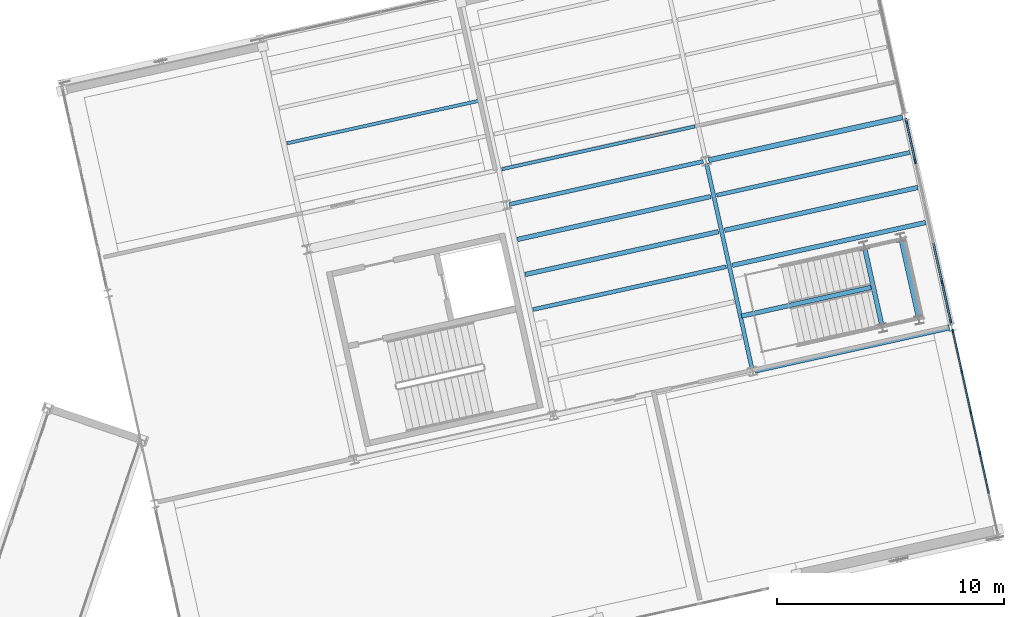
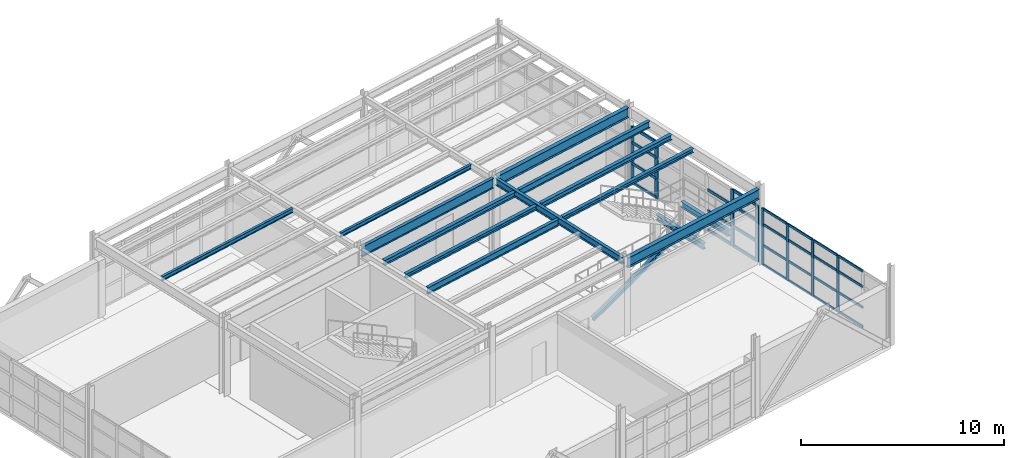
# One storey, part 56 of 102: 36 members, 14 beams, 2 elements without a shape of their own.
"""IFC4 building model written with IfcOpenShell, lengths in metres."""

import ifcopenshell
import ifcopenshell.guid

model = None  # the IFC model being written
_history = None  # IfcOwnerHistory: only IFC2X3 demands one
_inside = {}  # id of a spatial element -> (the spatial element, [elements in it])
_under = {}  # id of a project, library or spatial element -> (it, [spatial elements below it])
_declared = {}  # id of a project -> (the project, [libraries it declares])
_typed = {}  # id of a type object -> (the type object, [elements of that type])
_made_of = {}  # id of a material, layer set ... -> (it, [elements and type objects made of it])


def new_model(schema):
    """Start an empty IFC model of exactly this schema.

    Asked for "IFC4X3", IfcOpenShell would pick the latest addendum, in which some entities
    have other attributes; the version numbers below select the first issue.
    IFC2X3 requires an IfcOwnerHistory on every rooted entity: one is made here for all.
    """
    global model, _history
    if schema == "IFC4X3":
        model = ifcopenshell.file(schema_version=(4, 3, 0, 0))
    else:
        model = ifcopenshell.file(schema=schema)
    _inside.clear()
    _under.clear()
    _declared.clear()
    _typed.clear()
    _made_of.clear()
    _history = None
    if model.schema == "IFC2X3":
        org = make("IfcOrganization", Name="unknown")
        user = make(
            "IfcPersonAndOrganization",
            ThePerson=make("IfcPerson", FamilyName="unknown"),
            TheOrganization=org,
        )
        app = make(
            "IfcApplication",
            ApplicationDeveloper=org,
            Version="unknown",
            ApplicationFullName="unknown",
            ApplicationIdentifier="unknown",
        )
        _history = make(
            "IfcOwnerHistory",
            OwningUser=user,
            OwningApplication=app,
            ChangeAction="ADDED",
            CreationDate=0,
        )
    return model


def make(cls, **values):
    """One entity of the class cls with the attributes given. An attribute that is None is left unset."""
    return model.create_entity(
        cls, **{name: value for name, value in values.items() if value is not None}
    )


def rooted(cls, **values):
    """An entity with a GlobalId (a new one), such as an element, a storey or a relation."""
    return make(cls, GlobalId=ifcopenshell.guid.new(), OwnerHistory=_history, **values)


def si_unit(unit_type, name, prefix=None):
    """IfcSIUnit, for example si_unit("LENGTHUNIT", "METRE", prefix="MILLI")."""
    return make("IfcSIUnit", UnitType=unit_type, Prefix=prefix, Name=name)


def assignment(units):
    """IfcUnitAssignment: the units of a project."""
    return None if units is None else make("IfcUnitAssignment", Units=units)


def point(xyz):
    """IfcCartesianPoint."""
    return None if xyz is None else make("IfcCartesianPoint", Coordinates=xyz)


def direction(xyz):
    """IfcDirection."""
    return None if xyz is None else make("IfcDirection", DirectionRatios=xyz)


def frame(location, z_axis=None, x_axis=None):
    """IfcAxis2Placement3D, a coordinate frame: its origin and axes. An axis left out is left unset."""
    return make(
        "IfcAxis2Placement3D",
        Location=point(location),
        Axis=direction(z_axis),
        RefDirection=direction(x_axis),
    )


def frame_2d(location, x_axis=None):
    """IfcAxis2Placement2D, a coordinate frame in the plane: its origin and x axis."""
    return make(
        "IfcAxis2Placement2D", Location=point(location), RefDirection=direction(x_axis)
    )


def origin():
    """The frame at (0, 0, 0) with its axes left unset."""
    return frame((0.0, 0.0, 0.0))


def origin_2d():
    """The frame at (0, 0) in the plane with its x axis left unset."""
    return frame_2d((0.0, 0.0))


def place(relative_to, where):
    """IfcLocalPlacement: puts the frame where relative to a parent placement (None: the world)."""
    return make(
        "IfcLocalPlacement", PlacementRelTo=relative_to, RelativePlacement=where
    )


def context(
    kind, dimensions, precision=None, world=None, true_north=None, identifier=None
):
    """IfcGeometricRepresentationContext, for example the 3D "Model" context."""
    return make(
        "IfcGeometricRepresentationContext",
        ContextIdentifier=identifier,
        ContextType=kind,
        CoordinateSpaceDimension=dimensions,
        Precision=precision,
        WorldCoordinateSystem=world,
        TrueNorth=true_north,
    )


def subcontext(parent, identifier, kind, view, scale=None):
    """IfcGeometricRepresentationSubContext, for example "Body" below "Model"."""
    return make(
        "IfcGeometricRepresentationSubContext",
        ContextIdentifier=identifier,
        ContextType=kind,
        ParentContext=parent,
        TargetScale=scale,
        TargetView=view,
    )


def project(units=None, contexts=None):
    """IfcProject with its units and contexts."""
    return rooted(
        "IfcProject",
        Name="project",
        RepresentationContexts=contexts,
        UnitsInContext=assignment(units),
    )


def spatial(cls, under=None, at=None, **own):
    """A site, building, storey or space (cls), placed at a placement, below another one or the project."""
    s = rooted(cls, ObjectPlacement=at, **own)
    if under is not None:
        _under.setdefault(under.id(), (under, []))[1].append(s)
    return s


def profile(cls, at=None, kind="AREA", **sizes):
    """A parametric profile (cls). Its sizes go by their IFC names, for example OverallWidth=200.0."""
    return make(cls, ProfileType=kind, Position=at, **sizes)


def rectangle(**sizes):
    """IfcRectangleProfileDef."""
    return profile("IfcRectangleProfileDef", **sizes)


def i_section(**sizes):
    """IfcIShapeProfileDef."""
    return profile("IfcIShapeProfileDef", **sizes)


def extrude(swept, where, along, depth):
    """IfcExtrudedAreaSolid: the profile swept, set in the frame where, extruded along a direction by depth."""
    return make(
        "IfcExtrudedAreaSolid",
        SweptArea=swept,
        Position=where,
        ExtrudedDirection=direction(along),
        Depth=depth,
    )


def shape(context_of_items, identifier, shape_type, items):
    """IfcShapeRepresentation: the items that make up one representation, for example the "Body"."""
    return make(
        "IfcShapeRepresentation",
        ContextOfItems=context_of_items,
        RepresentationIdentifier=identifier,
        RepresentationType=shape_type,
        Items=items,
    )


def material(Name=None, Category=None):
    """IfcMaterial."""
    return make("IfcMaterial", Name=Name, Category=Category)


def layer(
    of_material, thickness, ventilated=None, Name=None, Category=None, Priority=None
):
    """IfcMaterialLayer: one layer of a wall or slab, of a material (None: an air gap)."""
    return make(
        "IfcMaterialLayer",
        Material=of_material,
        LayerThickness=thickness,
        IsVentilated=ventilated,
        Name=Name,
        Category=Category,
        Priority=Priority,
    )


def layer_set(layers, Name=None):
    """IfcMaterialLayerSet."""
    return make("IfcMaterialLayerSet", MaterialLayers=layers, LayerSetName=Name)


def material_profile(
    of_material, cross_section, Name=None, Category=None, Priority=None
):
    """IfcMaterialProfile: a cross section and its material."""
    return make(
        "IfcMaterialProfile",
        Name=Name,
        Material=of_material,
        Profile=cross_section,
        Priority=Priority,
        Category=Category,
    )


def profile_set(profiles, Name=None, composite=None):
    """IfcMaterialProfileSet."""
    return make(
        "IfcMaterialProfileSet",
        Name=Name,
        MaterialProfiles=profiles,
        CompositeProfile=composite,
    )


def made_of(thing, what):
    """Note that an element or type object is made of a material, layer set ...; save() writes the relation."""
    if what is not None:
        _made_of.setdefault(what.id(), (what, []))[1].append(thing)
    return thing


def type_object(cls, material=None, **own):
    """A type object (cls), such as IfcWallType, which elements share."""
    return made_of(rooted(cls, **own), material)


def element(
    cls,
    number,
    at=None,
    inside=None,
    cuts=None,
    type_object=None,
    material=None,
    context=None,
    identifier="Body",
    shape_type=None,
    held_by="IfcProductDefinitionShape",
    body=None,
    shapes=None,
    **own,
):
    """One element of the class cls, such as IfcWall. Its Tag is "e" and its number.

    at: its placement. inside: the storey or other place that contains it. cuts: it is an
    opening in that element (IfcRelVoidsElement). A single representation is given by context,
    identifier, shape_type and body (its items); several are given by shapes. held_by: the class
    of the entity that holds the representations. save() writes the other relations.
    """
    e = rooted(cls, Tag="e%d" % number, ObjectPlacement=at, **own)
    if body is not None:
        shapes = [shape(context, identifier, shape_type, body)]
    if shapes is not None:
        e.Representation = make(held_by, Representations=shapes)
    if inside is not None:
        _inside.setdefault(inside.id(), (inside, []))[1].append(e)
    if cuts is not None:
        rooted(
            "IfcRelVoidsElement", RelatingBuildingElement=cuts, RelatedOpeningElement=e
        )
    if type_object is not None:
        _typed.setdefault(type_object.id(), (type_object, []))[1].append(e)
    return made_of(e, material)


def aggregate(whole, parts):
    """IfcRelAggregates: a whole, such as a stair, and the parts it consists of."""
    return rooted("IfcRelAggregates", RelatingObject=whole, RelatedObjects=parts)


def save(model, path):
    """Write the relations noted so far, then the file.

    IfcRelAggregates (storeys below a building ...), IfcRelContainedInSpatialStructure (elements
    in a storey), IfcRelDefinesByType, IfcRelAssociatesMaterial and IfcRelDeclares: one each for
    every whole, place, type object, material and project.
    """
    for whole, parts in _under.values():
        aggregate(whole, parts)
    for where, things in _inside.values():
        rooted(
            "IfcRelContainedInSpatialStructure",
            RelatedElements=things,
            RelatingStructure=where,
        )
    for kind, things in _typed.values():
        rooted("IfcRelDefinesByType", RelatedObjects=things, RelatingType=kind)
    for what, things in _made_of.values():
        rooted("IfcRelAssociatesMaterial", RelatedObjects=things, RelatingMaterial=what)
    for by, libraries in _declared.values():
        rooted("IfcRelDeclares", RelatingContext=by, RelatedDefinitions=libraries)
    model.write(path)


model = new_model("IFC4")

# Units and contexts
model_context = context("Model", 3, precision=1e-05, world=origin(), true_north=direction((0.0, 1.0)))
body_context = subcontext(model_context, "Body", "Model", "MODEL_VIEW")
ifc_project = project(units=[si_unit("LENGTHUNIT", "METRE"), si_unit("AREAUNIT", "SQUARE_METRE"), si_unit("VOLUMEUNIT", "CUBIC_METRE"), si_unit("PLANEANGLEUNIT", "RADIAN"), si_unit("MASSUNIT", "GRAM", prefix="KILO")], contexts=[model_context])

# Site, building, storey
site_placement = place(None, origin())
site = spatial("IfcSite", under=ifc_project, at=site_placement, CompositionType="ELEMENT")
building_placement = place(site_placement, origin())
building = spatial("IfcBuilding", under=site, at=building_placement, Name="Vireo Bluff Cable Station", CompositionType="ELEMENT")
storey_placement = place(building_placement, frame((0.0, 0.0, 9.60009765625)))
storey = spatial("IfcBuildingStorey", under=building, at=storey_placement, Name="L02", CompositionType="ELEMENT", Elevation=9.60009765625)

# Beams
ifc_material_1 = material(Name="Steel ASTM A992 Gr. 50", Category="steel")
ifc_material_profile_1 = material_profile(ifc_material_1, i_section(OverallWidth=0.2041015625, OverallDepth=0.35009765625, WebThickness=0.008544921875, FlangeThickness=0.01513671875, FilletRadius=0.010009765625, at=origin_2d()), Name="W14X48")
ifc_profile_set_1 = profile_set([ifc_material_profile_1], Name="Steel ASTM A992 Gr. 50")
beam_type_1 = type_object("IfcBeamType", Name="BM-W14X48", PredefinedType="BEAM", material=ifc_profile_set_1)
beam_1_placement = place(storey_placement, frame((155.9970703125, 91.159423828125, 2.02490234375), z_axis=(-0.216464522971, 0.976290484587, 0.0), x_axis=(-0.976290484587, -0.216464522971, 0.0)))
element("IfcBeam", 1, at=beam_1_placement, inside=storey, type_object=beam_type_1, Name="ST-09 L02 landing header beam N", PredefinedType="BEAM", context=body_context, shape_type="SweptSolid", body=[
    extrude(i_section(OverallWidth=0.2041015625, OverallDepth=0.35009765625, WebThickness=0.008544921875, FlangeThickness=0.01513671875, FilletRadius=0.010009765625, at=origin_2d()), origin(), (0.0, 0.0, 1.0), 3.43994140625),
])
beam_2_placement = place(storey_placement, frame((157.60791015625, 91.516357421875, 2.02490234375), z_axis=(-0.216381881536, 0.976308804294, 0.0), x_axis=(-0.976308804294, -0.216381881536, 0.0)))
element("IfcBeam", 2, at=beam_2_placement, inside=storey, type_object=beam_type_1, Name="ST-09 L02 landing header beam F", PredefinedType="BEAM", context=body_context, shape_type="SweptSolid", body=[
    extrude(i_section(OverallWidth=0.2041015625, OverallDepth=0.35009765625, WebThickness=0.008544921875, FlangeThickness=0.01513671875, FilletRadius=0.010009765625, at=origin_2d()), origin(), (0.0, 0.0, 1.0), 3.440185546875),
])
ifc_material_profile_2 = material_profile(ifc_material_1, i_section(OverallWidth=0.178955078125, OverallDepth=0.408935546875, WebThickness=0.0087890625, FlangeThickness=0.014404296875, FilletRadius=0.010009765625, at=origin_2d()), Name="W16X45")
ifc_profile_set_2 = profile_set([ifc_material_profile_2], Name="Steel ASTM A992 Gr. 50")
beam_type_2 = type_object("IfcBeamType", Name="BM-W16X45", PredefinedType="BEAM", material=ifc_profile_set_2)
beam_3_placement = place(storey_placement, frame((150.27783203125, 89.23583984375, 4.33544921875), z_axis=(-0.216430734067, 0.976297975698, 0.0), x_axis=(-0.976297975698, -0.216430734067, 0.0)))
element("IfcBeam", 3, at=beam_3_placement, inside=storey, type_object=beam_type_2, Name="V2 L02 beam 537", PredefinedType="BEAM", context=body_context, shape_type="SweptSolid", body=[
    extrude(i_section(OverallWidth=0.178955078125, OverallDepth=0.408935546875, WebThickness=0.0087890625, FlangeThickness=0.014404296875, FilletRadius=0.010009765625, at=origin_2d()), origin(), (0.0, 0.0, 1.0), 9.260009765625),
])

# Curtain wall, members
ifc_material_2 = material(Name="Anodized Aluminium 6063-T6", Category="aluminium")
ifc_layer_1 = layer(ifc_material_2, 0.159912109375, Name="Anodized Aluminium 6063-T6")
ifc_layer_set_1 = layer_set([ifc_layer_1], Name="Anodized Aluminium 6063-T6")
curtain_wall_type_1 = type_object("IfcCurtainWallType", Name="CW-STICK-1750", PredefinedType="USERDEFINED", material=ifc_layer_set_1)
curtain_wall_1_placement = place(storey_placement, origin())
curtain_wall_1 = element("IfcCurtainWall", 4, at=curtain_wall_1_placement, inside=storey, type_object=curtain_wall_type_1, Name="V2 L02 east curtain wall CW-060", ObjectType="STICK CURTAIN WALL", PredefinedType="USERDEFINED")
ifc_material_profile_3 = material_profile(ifc_material_2, rectangle(XDim=0.06494140625, YDim=0.179931640625, at=origin_2d()), Name="ALU-M-65X180")
ifc_profile_set_3 = profile_set([ifc_material_profile_3], Name="Anodized Aluminium 6063-T6")
member_type_1 = type_object("IfcMemberType", Name="CWM-01", PredefinedType="MULLION", material=ifc_profile_set_3)
member_1_placement = place(storey_placement, frame((159.1328125, 90.875244140625, 0.0), z_axis=(0.0, 0.0, 1.0), x_axis=(0.976296019658, 0.216439557384, 0.0)))
member_1 = element("IfcMember", 5, at=member_1_placement, type_object=member_type_1, Name="CW-060 mullion 1", PredefinedType="MULLION", context=body_context, shape_type="SweptSolid", body=[
    extrude(rectangle(XDim=0.06494140625, YDim=0.179931640625, at=origin_2d()), origin(), (0.0, 0.0, 1.0), 3.39990234375),
])
member_2_placement = place(storey_placement, frame((159.524169921875, 89.110107421875, 0.0), z_axis=(0.0, 0.0, 1.0), x_axis=(0.976296019658, 0.216439557384, 0.0)))
member_2 = element("IfcMember", 6, at=member_2_placement, type_object=member_type_1, Name="CW-060 mullion 2", PredefinedType="MULLION", context=body_context, shape_type="SweptSolid", body=[
    extrude(rectangle(XDim=0.06494140625, YDim=0.179931640625, at=origin_2d()), origin(), (0.0, 0.0, 1.0), 3.39990234375),
])
member_3_placement = place(storey_placement, frame((159.922607421875, 87.313232421875, 0.0), z_axis=(0.0, 0.0, 1.0), x_axis=(0.976296019658, 0.216439557384, 0.0)))
member_3 = element("IfcMember", 7, at=member_3_placement, type_object=member_type_1, Name="CW-060 mullion 3", PredefinedType="MULLION", context=body_context, shape_type="SweptSolid", body=[
    extrude(rectangle(XDim=0.06494140625, YDim=0.179931640625, at=origin_2d()), origin(), (0.0, 0.0, 1.0), 3.39990234375),
])
member_4_placement = place(storey_placement, frame((160.321044921875, 85.516357421875, 0.0), z_axis=(0.0, 0.0, 1.0), x_axis=(0.976296019658, 0.216439557384, 0.0)))
member_4 = element("IfcMember", 8, at=member_4_placement, type_object=member_type_1, Name="CW-060 mullion 4", PredefinedType="MULLION", context=body_context, shape_type="SweptSolid", body=[
    extrude(rectangle(XDim=0.06494140625, YDim=0.179931640625, at=origin_2d()), origin(), (0.0, 0.0, 1.0), 3.39990234375),
])

ifc_layer_2 = layer(ifc_material_2, 0.159912109375, Name="Anodized Aluminium 6063-T6")
ifc_layer_set_2 = layer_set([ifc_layer_2], Name="Anodized Aluminium 6063-T6")
curtain_wall_type_2 = type_object("IfcCurtainWallType", Name="CW-STICK-1850", PredefinedType="USERDEFINED", material=ifc_layer_set_2)
curtain_wall_2_placement = place(storey_placement, origin())
curtain_wall_2 = element("IfcCurtainWall", 9, at=curtain_wall_2_placement, inside=storey, type_object=curtain_wall_type_2, Name="V2 L02 east curtain wall CW-059", ObjectType="STICK CURTAIN WALL", PredefinedType="USERDEFINED")
ifc_material_profile_4 = material_profile(ifc_material_2, rectangle(XDim=0.080078125, YDim=0.239990234375, at=origin_2d()), Name="ALU-M-80X240")
ifc_profile_set_4 = profile_set([ifc_material_profile_4], Name="Anodized Aluminium 6063-T6")
member_type_2 = type_object("IfcMemberType", Name="CWM-04", PredefinedType="MULLION", material=ifc_profile_set_4)
member_5_placement = place(storey_placement, frame((157.078369140625, 100.142822265625, 0.0), z_axis=(0.0, 0.0, 1.0), x_axis=(0.976295996018, 0.216439664017, 0.0)))
member_5 = element("IfcMember", 10, at=member_5_placement, type_object=member_type_2, Name="CW-059 mullion 1", PredefinedType="MULLION", context=body_context, shape_type="SweptSolid", body=[
    extrude(rectangle(XDim=0.080078125, YDim=0.239990234375, at=origin_2d()), origin(), (0.0, 0.0, 1.0), 3.39990234375),
])
member_6_placement = place(storey_placement, frame((157.466796875, 98.390625, 0.0), z_axis=(0.0, 0.0, 1.0), x_axis=(0.976295996018, 0.216439664017, 0.0)))
member_6 = element("IfcMember", 11, at=member_6_placement, type_object=member_type_2, Name="CW-059 mullion 2", PredefinedType="MULLION", context=body_context, shape_type="SweptSolid", body=[
    extrude(rectangle(XDim=0.080078125, YDim=0.239990234375, at=origin_2d()), origin(), (0.0, 0.0, 1.0), 3.39990234375),
])
member_7_placement = place(storey_placement, frame((158.657958984375, 93.017333984375, 0.0), z_axis=(0.0, 0.0, 1.0), x_axis=(0.976295996018, 0.216439664017, 0.0)))
member_7 = element("IfcMember", 12, at=member_7_placement, type_object=member_type_2, Name="CW-059 mullion 5", PredefinedType="MULLION", context=body_context, shape_type="SweptSolid", body=[
    extrude(rectangle(XDim=0.080078125, YDim=0.239990234375, at=origin_2d()), origin(), (0.0, 0.0, 1.0), 3.39990234375),
])
member_8_placement = place(storey_placement, frame((159.04638671875, 91.265380859375, 0.0), z_axis=(0.0, 0.0, 1.0), x_axis=(0.976295996018, 0.216439664017, 0.0)))
member_8 = element("IfcMember", 13, at=member_8_placement, type_object=member_type_2, Name="CW-059 mullion 6", PredefinedType="MULLION", context=body_context, shape_type="SweptSolid", body=[
    extrude(rectangle(XDim=0.080078125, YDim=0.239990234375, at=origin_2d()), origin(), (0.0, 0.0, 1.0), 3.39990234375),
])

# Member
ifc_material_profile_5 = material_profile(ifc_material_2, rectangle(XDim=0.06494140625, YDim=0.139892578125, at=origin_2d()), Name="ALU-T-65X140")
ifc_profile_set_5 = profile_set([ifc_material_profile_5], Name="Anodized Aluminium 6063-T6")
member_type_3 = type_object("IfcMemberType", Name="CWT-01", PredefinedType="USERDEFINED", material=ifc_profile_set_5)
member_9_placement = place(storey_placement, frame((159.139892578125, 90.843505859375, 0.032470703125), z_axis=(0.216411336564, -0.976302275633, 0.0), x_axis=(0.976302275633, 0.216411336564, 0.0)))
member_9 = element("IfcMember", 14, at=member_9_placement, type_object=member_type_3, Name="CW-060 transom 1.1", ObjectType="TRANSOM", PredefinedType="USERDEFINED", context=body_context, shape_type="SweptSolid", body=[
    extrude(rectangle(XDim=0.06494140625, YDim=0.139892578125, at=origin_2d()), origin(), (0.0, 0.0, 1.0), 1.742919921875),
])

member_10_placement = place(storey_placement, frame((159.139892578125, 90.843505859375, 1.18994140625), z_axis=(0.216411336564, -0.976302275633, 0.0), x_axis=(0.976302275633, 0.216411336564, 0.0)))
member_10 = element("IfcMember", 15, at=member_10_placement, type_object=member_type_3, Name="CW-060 transom 1.2", ObjectType="TRANSOM", PredefinedType="USERDEFINED", context=body_context, shape_type="SweptSolid", body=[
    extrude(rectangle(XDim=0.06494140625, YDim=0.139892578125, at=origin_2d()), origin(), (0.0, 0.0, 1.0), 1.742919921875),
])

member_11_placement = place(storey_placement, frame((159.139892578125, 90.843505859375, 2.447998046875), z_axis=(0.216411336564, -0.976302275633, 0.0), x_axis=(0.976302275633, 0.216411336564, 0.0)))
member_11 = element("IfcMember", 16, at=member_11_placement, type_object=member_type_3, Name="CW-060 transom 1.3", ObjectType="TRANSOM", PredefinedType="USERDEFINED", context=body_context, shape_type="SweptSolid", body=[
    extrude(rectangle(XDim=0.06494140625, YDim=0.139892578125, at=origin_2d()), origin(), (0.0, 0.0, 1.0), 1.742919921875),
])

member_12_placement = place(storey_placement, frame((159.139892578125, 90.843505859375, 3.367431640625), z_axis=(0.216411336564, -0.976302275633, 0.0), x_axis=(0.976302275633, 0.216411336564, 0.0)))
member_12 = element("IfcMember", 17, at=member_12_placement, type_object=member_type_3, Name="CW-060 transom 1.4", ObjectType="TRANSOM", PredefinedType="USERDEFINED", context=body_context, shape_type="SweptSolid", body=[
    extrude(rectangle(XDim=0.06494140625, YDim=0.139892578125, at=origin_2d()), origin(), (0.0, 0.0, 1.0), 1.742919921875),
])

member_13_placement = place(storey_placement, frame((159.53125, 89.078369140625, 0.032470703125), z_axis=(0.216435406126, -0.97629693996, 0.0), x_axis=(0.97629693996, 0.216435406126, 0.0)))
member_13 = element("IfcMember", 18, at=member_13_placement, type_object=member_type_3, Name="CW-060 transom 2.1", ObjectType="TRANSOM", PredefinedType="USERDEFINED", context=body_context, shape_type="SweptSolid", body=[
    extrude(rectangle(XDim=0.06494140625, YDim=0.139892578125, at=origin_2d()), origin(), (0.0, 0.0, 1.0), 1.775390625),
])

member_14_placement = place(storey_placement, frame((159.53125, 89.078369140625, 1.18994140625), z_axis=(0.216435406126, -0.97629693996, 0.0), x_axis=(0.97629693996, 0.216435406126, 0.0)))
member_14 = element("IfcMember", 19, at=member_14_placement, type_object=member_type_3, Name="CW-060 transom 2.2", ObjectType="TRANSOM", PredefinedType="USERDEFINED", context=body_context, shape_type="SweptSolid", body=[
    extrude(rectangle(XDim=0.06494140625, YDim=0.139892578125, at=origin_2d()), origin(), (0.0, 0.0, 1.0), 1.775390625),
])

member_15_placement = place(storey_placement, frame((159.53125, 89.078369140625, 2.447998046875), z_axis=(0.216435406126, -0.97629693996, 0.0), x_axis=(0.97629693996, 0.216435406126, 0.0)))
member_15 = element("IfcMember", 20, at=member_15_placement, type_object=member_type_3, Name="CW-060 transom 2.3", ObjectType="TRANSOM", PredefinedType="USERDEFINED", context=body_context, shape_type="SweptSolid", body=[
    extrude(rectangle(XDim=0.06494140625, YDim=0.139892578125, at=origin_2d()), origin(), (0.0, 0.0, 1.0), 1.775390625),
])

member_16_placement = place(storey_placement, frame((159.53125, 89.078369140625, 3.367431640625), z_axis=(0.216435406126, -0.97629693996, 0.0), x_axis=(0.97629693996, 0.216435406126, 0.0)))
member_16 = element("IfcMember", 21, at=member_16_placement, type_object=member_type_3, Name="CW-060 transom 2.4", ObjectType="TRANSOM", PredefinedType="USERDEFINED", context=body_context, shape_type="SweptSolid", body=[
    extrude(rectangle(XDim=0.06494140625, YDim=0.139892578125, at=origin_2d()), origin(), (0.0, 0.0, 1.0), 1.775390625),
])

member_17_placement = place(storey_placement, frame((159.9296875, 87.281494140625, 0.032470703125), z_axis=(0.216435406126, -0.97629693996, 0.0), x_axis=(0.97629693996, 0.216435406126, 0.0)))
member_17 = element("IfcMember", 22, at=member_17_placement, type_object=member_type_3, Name="CW-060 transom 3.1", ObjectType="TRANSOM", PredefinedType="USERDEFINED", context=body_context, shape_type="SweptSolid", body=[
    extrude(rectangle(XDim=0.06494140625, YDim=0.139892578125, at=origin_2d()), origin(), (0.0, 0.0, 1.0), 1.775390625),
])

member_18_placement = place(storey_placement, frame((159.9296875, 87.281494140625, 1.18994140625), z_axis=(0.216435406126, -0.97629693996, 0.0), x_axis=(0.97629693996, 0.216435406126, 0.0)))
member_18 = element("IfcMember", 23, at=member_18_placement, type_object=member_type_3, Name="CW-060 transom 3.2", ObjectType="TRANSOM", PredefinedType="USERDEFINED", context=body_context, shape_type="SweptSolid", body=[
    extrude(rectangle(XDim=0.06494140625, YDim=0.139892578125, at=origin_2d()), origin(), (0.0, 0.0, 1.0), 1.775390625),
])

member_19_placement = place(storey_placement, frame((159.9296875, 87.281494140625, 2.447998046875), z_axis=(0.216435406126, -0.97629693996, 0.0), x_axis=(0.97629693996, 0.216435406126, 0.0)))
member_19 = element("IfcMember", 24, at=member_19_placement, type_object=member_type_3, Name="CW-060 transom 3.3", ObjectType="TRANSOM", PredefinedType="USERDEFINED", context=body_context, shape_type="SweptSolid", body=[
    extrude(rectangle(XDim=0.06494140625, YDim=0.139892578125, at=origin_2d()), origin(), (0.0, 0.0, 1.0), 1.775390625),
])

member_20_placement = place(storey_placement, frame((159.9296875, 87.281494140625, 3.367431640625), z_axis=(0.216435406126, -0.97629693996, 0.0), x_axis=(0.97629693996, 0.216435406126, 0.0)))
member_20 = element("IfcMember", 25, at=member_20_placement, type_object=member_type_3, Name="CW-060 transom 3.4", ObjectType="TRANSOM", PredefinedType="USERDEFINED", context=body_context, shape_type="SweptSolid", body=[
    extrude(rectangle(XDim=0.06494140625, YDim=0.139892578125, at=origin_2d()), origin(), (0.0, 0.0, 1.0), 1.775390625),
])

member_21_placement = place(storey_placement, frame((160.327880859375, 85.484619140625, 0.032470703125), z_axis=(0.216435406126, -0.97629693996, 0.0), x_axis=(0.97629693996, 0.216435406126, 0.0)))
member_21 = element("IfcMember", 26, at=member_21_placement, type_object=member_type_3, Name="CW-060 transom 4.1", ObjectType="TRANSOM", PredefinedType="USERDEFINED", context=body_context, shape_type="SweptSolid", body=[
    extrude(rectangle(XDim=0.06494140625, YDim=0.139892578125, at=origin_2d()), origin(), (0.0, 0.0, 1.0), 1.775390625),
])

member_22_placement = place(storey_placement, frame((160.327880859375, 85.484619140625, 1.18994140625), z_axis=(0.216435406126, -0.97629693996, 0.0), x_axis=(0.97629693996, 0.216435406126, 0.0)))
member_22 = element("IfcMember", 27, at=member_22_placement, type_object=member_type_3, Name="CW-060 transom 4.2", ObjectType="TRANSOM", PredefinedType="USERDEFINED", context=body_context, shape_type="SweptSolid", body=[
    extrude(rectangle(XDim=0.06494140625, YDim=0.139892578125, at=origin_2d()), origin(), (0.0, 0.0, 1.0), 1.775390625),
])

member_23_placement = place(storey_placement, frame((160.327880859375, 85.484619140625, 2.447998046875), z_axis=(0.216435406126, -0.97629693996, 0.0), x_axis=(0.97629693996, 0.216435406126, 0.0)))
member_23 = element("IfcMember", 28, at=member_23_placement, type_object=member_type_3, Name="CW-060 transom 4.3", ObjectType="TRANSOM", PredefinedType="USERDEFINED", context=body_context, shape_type="SweptSolid", body=[
    extrude(rectangle(XDim=0.06494140625, YDim=0.139892578125, at=origin_2d()), origin(), (0.0, 0.0, 1.0), 1.775390625),
])

member_24_placement = place(storey_placement, frame((160.327880859375, 85.484619140625, 3.367431640625), z_axis=(0.216435406126, -0.97629693996, 0.0), x_axis=(0.97629693996, 0.216435406126, 0.0)))
member_24 = element("IfcMember", 29, at=member_24_placement, type_object=member_type_3, Name="CW-060 transom 4.4", ObjectType="TRANSOM", PredefinedType="USERDEFINED", context=body_context, shape_type="SweptSolid", body=[
    extrude(rectangle(XDim=0.06494140625, YDim=0.139892578125, at=origin_2d()), origin(), (0.0, 0.0, 1.0), 1.775390625),
])

aggregate(curtain_wall_1, [member_1, member_2, member_3, member_4, member_9, member_10, member_11, member_12, member_13, member_14, member_15, member_16, member_17, member_18, member_19, member_20, member_21, member_22, member_23, member_24])

ifc_material_profile_6 = material_profile(ifc_material_2, rectangle(XDim=0.080078125, YDim=0.175048828125, at=origin_2d()), Name="ALU-T-80X175")
ifc_profile_set_6 = profile_set([ifc_material_profile_6], Name="Anodized Aluminium 6063-T6")
member_type_4 = type_object("IfcMemberType", Name="CWT-04", PredefinedType="USERDEFINED", material=ifc_profile_set_6)
member_25_placement = place(storey_placement, frame((157.0869140625, 100.103759765625, 0.039794921875), z_axis=(0.216417859301, -0.976300829753, 0.0), x_axis=(0.976300829753, 0.216417859301, 0.0)))
member_25 = element("IfcMember", 30, at=member_25_placement, type_object=member_type_4, Name="CW-059 transom 1.1", ObjectType="TRANSOM", PredefinedType="USERDEFINED", context=body_context, shape_type="SweptSolid", body=[
    extrude(rectangle(XDim=0.080078125, YDim=0.175048828125, at=origin_2d()), origin(), (0.0, 0.0, 1.0), 1.714599609375),
])

member_26_placement = place(storey_placement, frame((157.0869140625, 100.103759765625, 1.18994140625), z_axis=(0.216417859301, -0.976300829753, 0.0), x_axis=(0.976300829753, 0.216417859301, 0.0)))
member_26 = element("IfcMember", 31, at=member_26_placement, type_object=member_type_4, Name="CW-059 transom 1.2", ObjectType="TRANSOM", PredefinedType="USERDEFINED", context=body_context, shape_type="SweptSolid", body=[
    extrude(rectangle(XDim=0.080078125, YDim=0.175048828125, at=origin_2d()), origin(), (0.0, 0.0, 1.0), 1.714599609375),
])

member_27_placement = place(storey_placement, frame((157.0869140625, 100.103759765625, 2.447998046875), z_axis=(0.216417859301, -0.976300829753, 0.0), x_axis=(0.976300829753, 0.216417859301, 0.0)))
member_27 = element("IfcMember", 32, at=member_27_placement, type_object=member_type_4, Name="CW-059 transom 1.3", ObjectType="TRANSOM", PredefinedType="USERDEFINED", context=body_context, shape_type="SweptSolid", body=[
    extrude(rectangle(XDim=0.080078125, YDim=0.175048828125, at=origin_2d()), origin(), (0.0, 0.0, 1.0), 1.714599609375),
])

member_28_placement = place(storey_placement, frame((157.0869140625, 100.103759765625, 3.35986328125), z_axis=(0.216417859301, -0.976300829753, 0.0), x_axis=(0.976300829753, 0.216417859301, 0.0)))
member_28 = element("IfcMember", 33, at=member_28_placement, type_object=member_type_4, Name="CW-059 transom 1.4", ObjectType="TRANSOM", PredefinedType="USERDEFINED", context=body_context, shape_type="SweptSolid", body=[
    extrude(rectangle(XDim=0.080078125, YDim=0.175048828125, at=origin_2d()), origin(), (0.0, 0.0, 1.0), 1.714599609375),
])

member_29_placement = place(storey_placement, frame((158.26953125, 94.76953125, 0.039794921875), z_axis=(0.216488488725, -0.976285170557, 0.0), x_axis=(0.976285170557, 0.216488488725, 0.0)))
member_29 = element("IfcMember", 34, at=member_29_placement, type_object=member_type_4, Name="CW-059 transom 4.1", ObjectType="TRANSOM", PredefinedType="USERDEFINED", context=body_context, shape_type="SweptSolid", body=[
    extrude(rectangle(XDim=0.080078125, YDim=0.175048828125, at=origin_2d()), origin(), (0.0, 0.0, 1.0), 1.754638671875),
])

member_30_placement = place(storey_placement, frame((158.26953125, 94.76953125, 1.18994140625), z_axis=(0.216488488725, -0.976285170557, 0.0), x_axis=(0.976285170557, 0.216488488725, 0.0)))
member_30 = element("IfcMember", 35, at=member_30_placement, type_object=member_type_4, Name="CW-059 transom 4.2", ObjectType="TRANSOM", PredefinedType="USERDEFINED", context=body_context, shape_type="SweptSolid", body=[
    extrude(rectangle(XDim=0.080078125, YDim=0.175048828125, at=origin_2d()), origin(), (0.0, 0.0, 1.0), 1.754638671875),
])

member_31_placement = place(storey_placement, frame((158.26953125, 94.76953125, 2.447998046875), z_axis=(0.216488488725, -0.976285170557, 0.0), x_axis=(0.976285170557, 0.216488488725, 0.0)))
member_31 = element("IfcMember", 36, at=member_31_placement, type_object=member_type_4, Name="CW-059 transom 4.3", ObjectType="TRANSOM", PredefinedType="USERDEFINED", context=body_context, shape_type="SweptSolid", body=[
    extrude(rectangle(XDim=0.080078125, YDim=0.175048828125, at=origin_2d()), origin(), (0.0, 0.0, 1.0), 1.754638671875),
])

member_32_placement = place(storey_placement, frame((158.666748046875, 92.978271484375, 0.039794921875), z_axis=(0.216447946735, -0.976294159746, 0.0), x_axis=(0.976294159746, 0.216447946735, 0.0)))
member_32 = element("IfcMember", 37, at=member_32_placement, type_object=member_type_4, Name="CW-059 transom 5.1", ObjectType="TRANSOM", PredefinedType="USERDEFINED", context=body_context, shape_type="SweptSolid", body=[
    extrude(rectangle(XDim=0.080078125, YDim=0.175048828125, at=origin_2d()), origin(), (0.0, 0.0, 1.0), 1.71435546875),
])

member_33_placement = place(storey_placement, frame((158.666748046875, 92.978271484375, 1.18994140625), z_axis=(0.216447946735, -0.976294159746, 0.0), x_axis=(0.976294159746, 0.216447946735, 0.0)))
member_33 = element("IfcMember", 38, at=member_33_placement, type_object=member_type_4, Name="CW-059 transom 5.2", ObjectType="TRANSOM", PredefinedType="USERDEFINED", context=body_context, shape_type="SweptSolid", body=[
    extrude(rectangle(XDim=0.080078125, YDim=0.175048828125, at=origin_2d()), origin(), (0.0, 0.0, 1.0), 1.71435546875),
])

member_34_placement = place(storey_placement, frame((158.666748046875, 92.978271484375, 2.447998046875), z_axis=(0.216447946735, -0.976294159746, 0.0), x_axis=(0.976294159746, 0.216447946735, 0.0)))
member_34 = element("IfcMember", 39, at=member_34_placement, type_object=member_type_4, Name="CW-059 transom 5.3", ObjectType="TRANSOM", PredefinedType="USERDEFINED", context=body_context, shape_type="SweptSolid", body=[
    extrude(rectangle(XDim=0.080078125, YDim=0.175048828125, at=origin_2d()), origin(), (0.0, 0.0, 1.0), 1.71435546875),
])

member_35_placement = place(storey_placement, frame((158.666748046875, 92.978271484375, 3.35986328125), z_axis=(0.216447946735, -0.976294159746, 0.0), x_axis=(0.976294159746, 0.216447946735, 0.0)))
member_35 = element("IfcMember", 40, at=member_35_placement, type_object=member_type_4, Name="CW-059 transom 5.4", ObjectType="TRANSOM", PredefinedType="USERDEFINED", context=body_context, shape_type="SweptSolid", body=[
    extrude(rectangle(XDim=0.080078125, YDim=0.175048828125, at=origin_2d()), origin(), (0.0, 0.0, 1.0), 1.71435546875),
])

aggregate(curtain_wall_2, [member_5, member_6, member_7, member_8, member_25, member_26, member_27, member_28, member_29, member_30, member_31, member_32, member_33, member_34, member_35])

# Beams
ifc_material_profile_7 = material_profile(ifc_material_1, i_section(OverallWidth=0.178955078125, OverallDepth=0.60302734375, WebThickness=0.010986328125, FlangeThickness=0.014892578125, FilletRadius=0.012939453125, at=origin_2d()), Name="W24X62")
ifc_profile_set_7 = profile_set([ifc_material_profile_7], Name="Steel ASTM A992 Gr. 50")
beam_type_3 = type_object("IfcBeamType", Name="GIR-W24X62", PredefinedType="USERDEFINED", material=ifc_profile_set_7)
beam_4_placement = place(storey_placement, frame((139.578125, 96.471435546875, 4.23828125), z_axis=(0.976295795297, 0.216440569406, 0.0), x_axis=(-0.216440569406, 0.976295795297, 0.0)))
element("IfcBeam", 41, at=beam_4_placement, inside=storey, type_object=beam_type_3, Name="V2 L02 girder 528", ObjectType="GIRDER", PredefinedType="USERDEFINED", context=body_context, shape_type="SweptSolid", body=[
    extrude(i_section(OverallWidth=0.178955078125, OverallDepth=0.60302734375, WebThickness=0.010986328125, FlangeThickness=0.014892578125, FilletRadius=0.012939453125, at=origin_2d()), origin(), (0.0, 0.0, 1.0), 8.760009765625),
])
ifc_material_profile_8 = material_profile(ifc_material_1, i_section(OverallWidth=0.22802734375, OverallDepth=0.60693359375, WebThickness=0.01123046875, FlangeThickness=0.017333984375, FilletRadius=0.012939453125, at=origin_2d()), Name="W24X76")
ifc_profile_set_8 = profile_set([ifc_material_profile_8], Name="Steel ASTM A992 Gr. 50")
beam_type_4 = type_object("IfcBeamType", Name="GIR-W24X76", PredefinedType="USERDEFINED", material=ifc_profile_set_8)
beam_5_placement = place(storey_placement, frame((148.36474609375, 98.41943359375, 4.236328125), z_axis=(0.97629710087, 0.216434680293, 0.0), x_axis=(-0.216434680293, 0.97629710087, 0.0)))
element("IfcBeam", 42, at=beam_5_placement, inside=storey, type_object=beam_type_4, Name="V2 L02 girder 529", ObjectType="GIRDER", PredefinedType="USERDEFINED", context=body_context, shape_type="SweptSolid", body=[
    extrude(i_section(OverallWidth=0.22802734375, OverallDepth=0.60693359375, WebThickness=0.01123046875, FlangeThickness=0.017333984375, FilletRadius=0.012939453125, at=origin_2d()), origin(), (0.0, 0.0, 1.0), 8.760009765625),
])
ifc_material_profile_9 = material_profile(ifc_material_1, i_section(OverallWidth=0.14599609375, OverallDepth=0.259033203125, WebThickness=0.006103515625, FlangeThickness=0.009033203125, FilletRadius=0.009033203125, at=origin_2d()), Name="W10X22")
ifc_profile_set_9 = profile_set([ifc_material_profile_9], Name="Steel ASTM A992 Gr. 50")
beam_type_5 = type_object("IfcBeamType", Name="JST-W10X22", PredefinedType="JOIST", material=ifc_profile_set_9)
for number, where, z_axis, x_axis, name in (
    (43, (129.782958984375, 99.165283203125, 4.410400390625), (0.976293006815, 0.216453146994, 0.0), (-0.216453146994, 0.976293006815, 0.0), "V2 L02 composite joist 543"),
    (44, (139.2548828125, 98.021728515625, 4.410400390625), (0.976300234484, 0.216420544652, 0.0), (-0.216420544652, 0.976300234484, 0.0), "V2 L02 composite joist 551"),
):
    element("IfcBeam", number, at=place(storey_placement, frame(where, z_axis=z_axis, x_axis=x_axis)), inside=storey, type_object=beam_type_5, Name=name, PredefinedType="JOIST", context=body_context, shape_type="SweptSolid", body=[
        extrude(i_section(OverallWidth=0.14599609375, OverallDepth=0.259033203125, WebThickness=0.006103515625, FlangeThickness=0.009033203125, FilletRadius=0.009033203125, at=origin_2d()), origin(), (0.0, 0.0, 1.0), 8.719970703125),
    ])
ifc_material_profile_10 = material_profile(ifc_material_1, i_section(OverallWidth=0.201904296875, OverallDepth=0.2470703125, WebThickness=0.00732421875, FlangeThickness=0.010986328125, FilletRadius=0.009033203125, at=origin_2d()), Name="W10X33")
ifc_profile_set_10 = profile_set([ifc_material_profile_10], Name="Steel ASTM A992 Gr. 50")
beam_type_6 = type_object("IfcBeamType", Name="JST-W10X33", PredefinedType="JOIST", material=ifc_profile_set_10)
beam_6_placement = place(storey_placement, frame((140.282958984375, 93.38427734375, 4.41650390625), z_axis=(0.976300234484, 0.216420544652, 0.0), x_axis=(-0.216420544652, 0.976300234484, 0.0)))
element("IfcBeam", 45, at=beam_6_placement, inside=storey, type_object=beam_type_6, Name="V2 L02 composite joist 549", PredefinedType="JOIST", context=body_context, shape_type="SweptSolid", body=[
    extrude(i_section(OverallWidth=0.201904296875, OverallDepth=0.2470703125, WebThickness=0.00732421875, FlangeThickness=0.010986328125, FilletRadius=0.009033203125, at=origin_2d()), origin(), (0.0, 0.0, 1.0), 8.719970703125),
])
beam_7_placement = place(storey_placement, frame((149.412353515625, 93.786376953125, 4.41650390625), z_axis=(0.976294318526, 0.216447230551, 0.0), x_axis=(-0.216447230551, 0.976294318526, 0.0)))
element("IfcBeam", 46, at=beam_7_placement, inside=storey, type_object=beam_type_6, Name="V2 L02 composite joist 556", PredefinedType="JOIST", context=body_context, shape_type="SweptSolid", body=[
    extrude(i_section(OverallWidth=0.201904296875, OverallDepth=0.2470703125, WebThickness=0.00732421875, FlangeThickness=0.010986328125, FilletRadius=0.009033203125, at=origin_2d()), origin(), (0.0, 0.0, 1.0), 8.72021484375),
])
ifc_material_profile_11 = material_profile(ifc_material_1, i_section(OverallWidth=0.202880859375, OverallDepth=0.302978515625, WebThickness=0.007568359375, FlangeThickness=0.01318359375, FilletRadius=0.010009765625, at=origin_2d()), Name="W12X40")
ifc_profile_set_11 = profile_set([ifc_material_profile_11], Name="Steel ASTM A992 Gr. 50")
beam_type_7 = type_object("IfcBeamType", Name="JST-W12X40", PredefinedType="JOIST", material=ifc_profile_set_11)
for number, where, z_axis, x_axis, name in (
    (47, (139.9404296875, 94.929931640625, 4.388427734375), (0.976293006815, 0.216453146994, 0.0), (-0.216453146994, 0.976293006815, 0.0), "V2 L02 composite joist 550"),
    (48, (149.06982421875, 95.332275390625, 4.388427734375), (0.976298923088, 0.216426460438, 0.0), (-0.216426460438, 0.976298923088, 0.0), "V2 L02 composite joist 557"),
):
    element("IfcBeam", number, at=place(storey_placement, frame(where, z_axis=z_axis, x_axis=x_axis)), inside=storey, type_object=beam_type_7, Name=name, PredefinedType="JOIST", context=body_context, shape_type="SweptSolid", body=[
        extrude(i_section(OverallWidth=0.202880859375, OverallDepth=0.302978515625, WebThickness=0.007568359375, FlangeThickness=0.01318359375, FilletRadius=0.010009765625, at=origin_2d()), origin(), (0.0, 0.0, 1.0), 8.719970703125),
    ])
ifc_material_profile_12 = material_profile(ifc_material_1, i_section(OverallWidth=0.177978515625, OverallDepth=0.404052734375, WebThickness=0.007568359375, FlangeThickness=0.010986328125, FilletRadius=0.010009765625, at=origin_2d()), Name="W16X36")
ifc_profile_set_12 = profile_set([ifc_material_profile_12], Name="Steel ASTM A992 Gr. 50")
beam_type_8 = type_object("IfcBeamType", Name="JST-W16X36", PredefinedType="JOIST", material=ifc_profile_set_12)
beam_8_placement = place(storey_placement, frame((140.625732421875, 91.83837890625, 4.337890625), z_axis=(0.976294318526, 0.216447230551, 0.0), x_axis=(-0.216447230551, 0.976294318526, 0.0)))
element("IfcBeam", 49, at=beam_8_placement, inside=storey, type_object=beam_type_8, Name="V2 L02 composite joist 548", PredefinedType="JOIST", context=body_context, shape_type="SweptSolid", body=[
    extrude(i_section(OverallWidth=0.177978515625, OverallDepth=0.404052734375, WebThickness=0.007568359375, FlangeThickness=0.010986328125, FilletRadius=0.010009765625, at=origin_2d()), origin(), (0.0, 0.0, 1.0), 8.72021484375),
])
beam_9_placement = place(storey_placement, frame((148.72705078125, 96.8779296875, 4.337890625), z_axis=(0.976293006815, 0.216453146994, 0.0), x_axis=(-0.216453146994, 0.976293006815, 0.0)))
element("IfcBeam", 50, at=beam_9_placement, inside=storey, type_object=beam_type_8, Name="V2 L02 composite joist 558", PredefinedType="JOIST", context=body_context, shape_type="SweptSolid", body=[
    extrude(i_section(OverallWidth=0.177978515625, OverallDepth=0.404052734375, WebThickness=0.007568359375, FlangeThickness=0.010986328125, FilletRadius=0.010009765625, at=origin_2d()), origin(), (0.0, 0.0, 1.0), 8.719970703125),
])
ifc_material_profile_13 = material_profile(ifc_material_1, i_section(OverallWidth=0.22802734375, OverallDepth=0.60693359375, WebThickness=0.01123046875, FlangeThickness=0.017333984375, FilletRadius=0.012939453125, at=origin_2d()), Name="W24X76")
ifc_profile_set_13 = profile_set([ifc_material_profile_13], Name="Steel ASTM A992 Gr. 50")
beam_type_9 = type_object("IfcBeamType", Name="SPN-W24X76", PredefinedType="SPANDREL", material=ifc_profile_set_13)
beam_10_placement = place(storey_placement, frame((150.4208984375, 89.144775390625, 4.236328125), z_axis=(0.97629710087, 0.216434680293, 0.0), x_axis=(-0.216434680293, 0.97629710087, 0.0)))
element("IfcBeam", 51, at=beam_10_placement, inside=storey, type_object=beam_type_9, Name="V2 L02 spandrel 526", PredefinedType="SPANDREL", context=body_context, shape_type="SweptSolid", body=[
    extrude(i_section(OverallWidth=0.22802734375, OverallDepth=0.60693359375, WebThickness=0.01123046875, FlangeThickness=0.017333984375, FilletRadius=0.012939453125, at=origin_2d()), origin(), (0.0, 0.0, 1.0), 8.760009765625),
])

# Member
ifc_material_profile_14 = material_profile(ifc_material_1, i_section(OverallWidth=0.201904296875, OverallDepth=0.2470703125, WebThickness=0.00732421875, FlangeThickness=0.010986328125, FilletRadius=0.009033203125, at=origin_2d()), Name="W10X33")
ifc_profile_set_14 = profile_set([ifc_material_profile_14], Name="Steel ASTM A992 Gr. 50")
member_type_5 = type_object("IfcMemberType", Name="STRINGER-01", PredefinedType="STRINGER", material=ifc_profile_set_14)
member_36_placement = place(storey_placement, frame((149.86474609375, 91.5615234375, -0.440185546875), z_axis=(0.899679894836, 0.199450260104, 0.388324195193), x_axis=(-0.216435506976, 0.976296917602, 0.0)))
element("IfcMember", 52, at=member_36_placement, inside=storey, type_object=member_type_5, Name="ST-09 L02 steel stair stringer", PredefinedType="STRINGER", context=body_context, shape_type="SweptSolid", body=[
    extrude(i_section(OverallWidth=0.201904296875, OverallDepth=0.2470703125, WebThickness=0.00732421875, FlangeThickness=0.010986328125, FilletRadius=0.009033203125, at=origin_2d()), origin(), (0.0, 0.0, 1.0), 6.347900390625),
])

save(model, "model.ifc")
